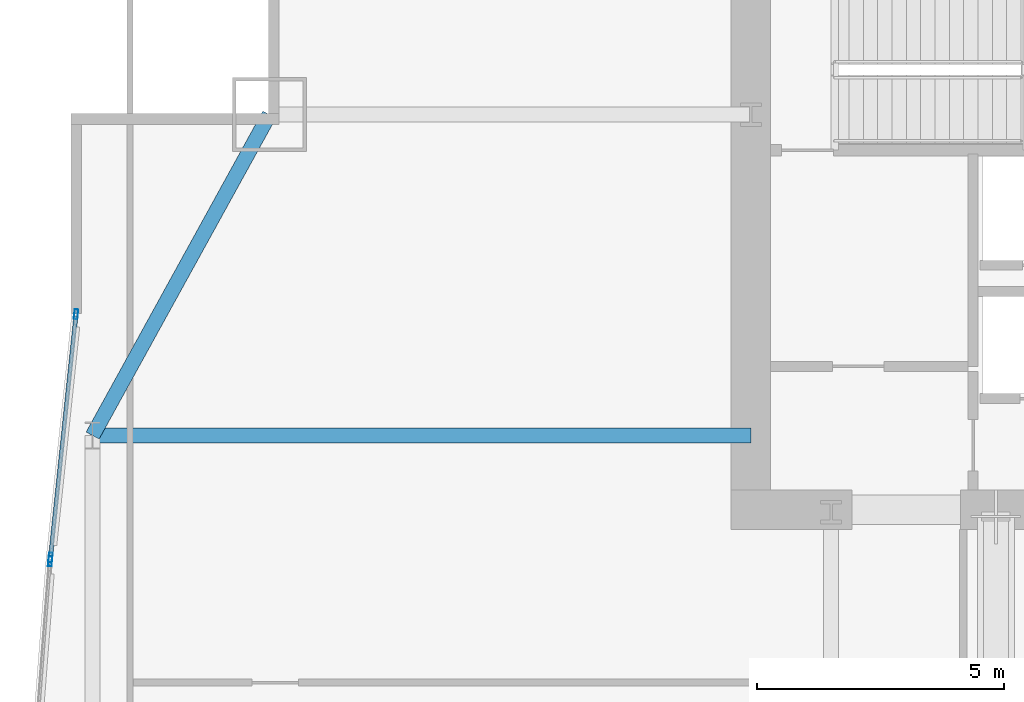
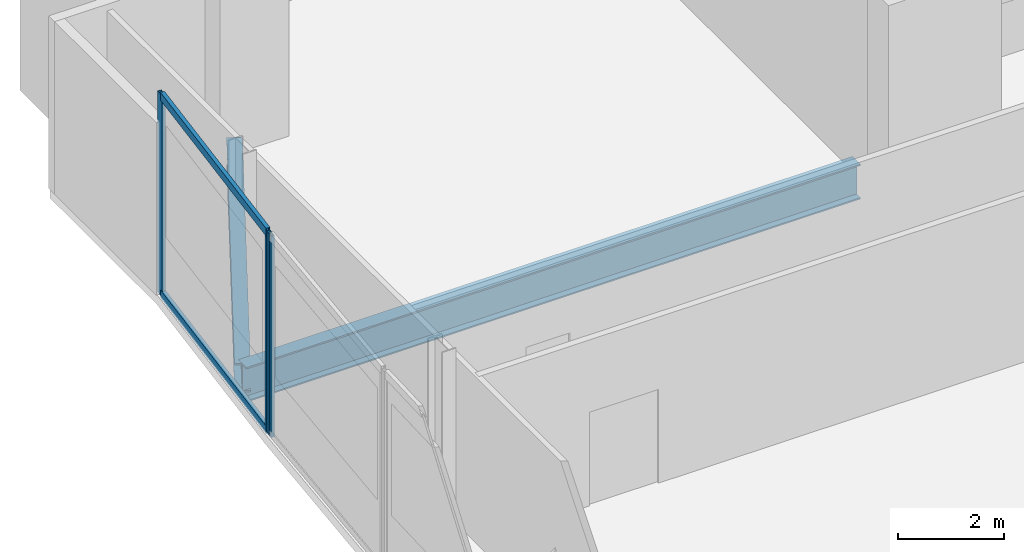
# One storey, part 17 of 32: 5 members, 2 beams, 2 elements without a shape of their own.
"""IFC4 building model written with IfcOpenShell, lengths in metres."""

import ifcopenshell
import ifcopenshell.guid

model = None  # the IFC model being written
_history = None  # IfcOwnerHistory: only IFC2X3 demands one
_inside = {}  # id of a spatial element -> (the spatial element, [elements in it])
_under = {}  # id of a project, library or spatial element -> (it, [spatial elements below it])
_declared = {}  # id of a project -> (the project, [libraries it declares])
_typed = {}  # id of a type object -> (the type object, [elements of that type])
_made_of = {}  # id of a material, layer set ... -> (it, [elements and type objects made of it])


def new_model(schema):
    """Start an empty IFC model of exactly this schema.

    Asked for "IFC4X3", IfcOpenShell would pick the latest addendum, in which some entities
    have other attributes; the version numbers below select the first issue.
    IFC2X3 requires an IfcOwnerHistory on every rooted entity: one is made here for all.
    """
    global model, _history
    if schema == "IFC4X3":
        model = ifcopenshell.file(schema_version=(4, 3, 0, 0))
    else:
        model = ifcopenshell.file(schema=schema)
    _inside.clear()
    _under.clear()
    _declared.clear()
    _typed.clear()
    _made_of.clear()
    _history = None
    if model.schema == "IFC2X3":
        org = make("IfcOrganization", Name="unknown")
        user = make(
            "IfcPersonAndOrganization",
            ThePerson=make("IfcPerson", FamilyName="unknown"),
            TheOrganization=org,
        )
        app = make(
            "IfcApplication",
            ApplicationDeveloper=org,
            Version="unknown",
            ApplicationFullName="unknown",
            ApplicationIdentifier="unknown",
        )
        _history = make(
            "IfcOwnerHistory",
            OwningUser=user,
            OwningApplication=app,
            ChangeAction="ADDED",
            CreationDate=0,
        )
    return model


def make(cls, **values):
    """One entity of the class cls with the attributes given. An attribute that is None is left unset."""
    return model.create_entity(
        cls, **{name: value for name, value in values.items() if value is not None}
    )


def rooted(cls, **values):
    """An entity with a GlobalId (a new one), such as an element, a storey or a relation."""
    return make(cls, GlobalId=ifcopenshell.guid.new(), OwnerHistory=_history, **values)


def si_unit(unit_type, name, prefix=None):
    """IfcSIUnit, for example si_unit("LENGTHUNIT", "METRE", prefix="MILLI")."""
    return make("IfcSIUnit", UnitType=unit_type, Prefix=prefix, Name=name)


def assignment(units):
    """IfcUnitAssignment: the units of a project."""
    return None if units is None else make("IfcUnitAssignment", Units=units)


def point(xyz):
    """IfcCartesianPoint."""
    return None if xyz is None else make("IfcCartesianPoint", Coordinates=xyz)


def direction(xyz):
    """IfcDirection."""
    return None if xyz is None else make("IfcDirection", DirectionRatios=xyz)


def frame(location, z_axis=None, x_axis=None):
    """IfcAxis2Placement3D, a coordinate frame: its origin and axes. An axis left out is left unset."""
    return make(
        "IfcAxis2Placement3D",
        Location=point(location),
        Axis=direction(z_axis),
        RefDirection=direction(x_axis),
    )


def frame_2d(location, x_axis=None):
    """IfcAxis2Placement2D, a coordinate frame in the plane: its origin and x axis."""
    return make(
        "IfcAxis2Placement2D", Location=point(location), RefDirection=direction(x_axis)
    )


def origin():
    """The frame at (0, 0, 0) with its axes left unset."""
    return frame((0.0, 0.0, 0.0))


def origin_2d():
    """The frame at (0, 0) in the plane with its x axis left unset."""
    return frame_2d((0.0, 0.0))


def place(relative_to, where):
    """IfcLocalPlacement: puts the frame where relative to a parent placement (None: the world)."""
    return make(
        "IfcLocalPlacement", PlacementRelTo=relative_to, RelativePlacement=where
    )


def context(
    kind, dimensions, precision=None, world=None, true_north=None, identifier=None
):
    """IfcGeometricRepresentationContext, for example the 3D "Model" context."""
    return make(
        "IfcGeometricRepresentationContext",
        ContextIdentifier=identifier,
        ContextType=kind,
        CoordinateSpaceDimension=dimensions,
        Precision=precision,
        WorldCoordinateSystem=world,
        TrueNorth=true_north,
    )


def subcontext(parent, identifier, kind, view, scale=None):
    """IfcGeometricRepresentationSubContext, for example "Body" below "Model"."""
    return make(
        "IfcGeometricRepresentationSubContext",
        ContextIdentifier=identifier,
        ContextType=kind,
        ParentContext=parent,
        TargetScale=scale,
        TargetView=view,
    )


def project(units=None, contexts=None):
    """IfcProject with its units and contexts."""
    return rooted(
        "IfcProject",
        Name="project",
        RepresentationContexts=contexts,
        UnitsInContext=assignment(units),
    )


def spatial(cls, under=None, at=None, **own):
    """A site, building, storey or space (cls), placed at a placement, below another one or the project."""
    s = rooted(cls, ObjectPlacement=at, **own)
    if under is not None:
        _under.setdefault(under.id(), (under, []))[1].append(s)
    return s


def profile(cls, at=None, kind="AREA", **sizes):
    """A parametric profile (cls). Its sizes go by their IFC names, for example OverallWidth=200.0."""
    return make(cls, ProfileType=kind, Position=at, **sizes)


def hollow_rectangle(**sizes):
    """IfcRectangleHollowProfileDef."""
    return profile("IfcRectangleHollowProfileDef", **sizes)


def i_section(**sizes):
    """IfcIShapeProfileDef."""
    return profile("IfcIShapeProfileDef", **sizes)


def extrude(swept, where, along, depth):
    """IfcExtrudedAreaSolid: the profile swept, set in the frame where, extruded along a direction by depth."""
    return make(
        "IfcExtrudedAreaSolid",
        SweptArea=swept,
        Position=where,
        ExtrudedDirection=direction(along),
        Depth=depth,
    )


def shape(context_of_items, identifier, shape_type, items):
    """IfcShapeRepresentation: the items that make up one representation, for example the "Body"."""
    return make(
        "IfcShapeRepresentation",
        ContextOfItems=context_of_items,
        RepresentationIdentifier=identifier,
        RepresentationType=shape_type,
        Items=items,
    )


def material(Name=None, Category=None):
    """IfcMaterial."""
    return make("IfcMaterial", Name=Name, Category=Category)


def material_profile(
    of_material, cross_section, Name=None, Category=None, Priority=None
):
    """IfcMaterialProfile: a cross section and its material."""
    return make(
        "IfcMaterialProfile",
        Name=Name,
        Material=of_material,
        Profile=cross_section,
        Priority=Priority,
        Category=Category,
    )


def profile_set(profiles, Name=None, composite=None):
    """IfcMaterialProfileSet."""
    return make(
        "IfcMaterialProfileSet",
        Name=Name,
        MaterialProfiles=profiles,
        CompositeProfile=composite,
    )


def made_of(thing, what):
    """Note that an element or type object is made of a material, layer set ...; save() writes the relation."""
    if what is not None:
        _made_of.setdefault(what.id(), (what, []))[1].append(thing)
    return thing


def type_object(cls, material=None, **own):
    """A type object (cls), such as IfcWallType, which elements share."""
    return made_of(rooted(cls, **own), material)


def element(
    cls,
    number,
    at=None,
    inside=None,
    cuts=None,
    type_object=None,
    material=None,
    context=None,
    identifier="Body",
    shape_type=None,
    held_by="IfcProductDefinitionShape",
    body=None,
    shapes=None,
    **own,
):
    """One element of the class cls, such as IfcWall. Its Tag is "e" and its number.

    at: its placement. inside: the storey or other place that contains it. cuts: it is an
    opening in that element (IfcRelVoidsElement). A single representation is given by context,
    identifier, shape_type and body (its items); several are given by shapes. held_by: the class
    of the entity that holds the representations. save() writes the other relations.
    """
    e = rooted(cls, Tag="e%d" % number, ObjectPlacement=at, **own)
    if body is not None:
        shapes = [shape(context, identifier, shape_type, body)]
    if shapes is not None:
        e.Representation = make(held_by, Representations=shapes)
    if inside is not None:
        _inside.setdefault(inside.id(), (inside, []))[1].append(e)
    if cuts is not None:
        rooted(
            "IfcRelVoidsElement", RelatingBuildingElement=cuts, RelatedOpeningElement=e
        )
    if type_object is not None:
        _typed.setdefault(type_object.id(), (type_object, []))[1].append(e)
    return made_of(e, material)


def aggregate(whole, parts):
    """IfcRelAggregates: a whole, such as a stair, and the parts it consists of."""
    return rooted("IfcRelAggregates", RelatingObject=whole, RelatedObjects=parts)


def save(model, path):
    """Write the relations noted so far, then the file.

    IfcRelAggregates (storeys below a building ...), IfcRelContainedInSpatialStructure (elements
    in a storey), IfcRelDefinesByType, IfcRelAssociatesMaterial and IfcRelDeclares: one each for
    every whole, place, type object, material and project.
    """
    for whole, parts in _under.values():
        aggregate(whole, parts)
    for where, things in _inside.values():
        rooted(
            "IfcRelContainedInSpatialStructure",
            RelatedElements=things,
            RelatingStructure=where,
        )
    for kind, things in _typed.values():
        rooted("IfcRelDefinesByType", RelatedObjects=things, RelatingType=kind)
    for what, things in _made_of.values():
        rooted("IfcRelAssociatesMaterial", RelatedObjects=things, RelatingMaterial=what)
    for by, libraries in _declared.values():
        rooted("IfcRelDeclares", RelatingContext=by, RelatedDefinitions=libraries)
    model.write(path)


model = new_model("IFC4")

# Units and contexts
model_context = context("Model", 3, precision=1e-05, world=origin(), true_north=direction((0.0, 1.0)))
body_context = subcontext(model_context, "Body", "Model", "MODEL_VIEW")
ifc_project = project(units=[si_unit("LENGTHUNIT", "METRE"), si_unit("AREAUNIT", "SQUARE_METRE"), si_unit("VOLUMEUNIT", "CUBIC_METRE"), si_unit("PLANEANGLEUNIT", "RADIAN"), si_unit("MASSUNIT", "GRAM", prefix="KILO")], contexts=[model_context])

# Site, building, storey
site_placement = place(None, origin())
site = spatial("IfcSite", under=ifc_project, at=site_placement, CompositionType="ELEMENT")
building_placement = place(site_placement, origin())
building = spatial("IfcBuilding", under=site, at=building_placement, Name="Khoronbel Lancet Exchange", CompositionType="ELEMENT")
storey_placement = place(building_placement, frame((0.0, 0.0, 85.800048828125)))
storey = spatial("IfcBuildingStorey", under=building, at=storey_placement, Name="L20", CompositionType="ELEMENT", Elevation=85.800048828125)

# Beams
ifc_material_1 = material(Name="Steel S355", Category="steel")
ifc_material_profile_1 = material_profile(ifc_material_1, i_section(OverallWidth=0.300048828125, OverallDepth=0.800048828125, WebThickness=0.017578125, FlangeThickness=0.032958984375, at=origin_2d()), Name="HEB 800")
ifc_profile_set_1 = profile_set([ifc_material_profile_1], Name="Steel S355")
beam_type_1 = type_object("IfcBeamType", Name="BM-BG2", PredefinedType="BEAM", material=ifc_profile_set_1)
beam_1_placement = place(storey_placement, frame((3.27001953125, 43.199951171875, -0.6201171875), z_axis=(1.0, 0.0, 0.0), x_axis=(0.0, 1.0, 0.0)))
element("IfcBeam", 1, at=beam_1_placement, inside=storey, type_object=beam_type_1, Name="Level L20 west lens tie girder LG3W", PredefinedType="BEAM", context=body_context, shape_type="SweptSolid", body=[
    extrude(i_section(OverallWidth=0.300048828125, OverallDepth=0.800048828125, WebThickness=0.017578125, FlangeThickness=0.032958984375, at=origin_2d()), origin(), (0.0, 0.0, 1.0), 13.330078125),
])
ifc_material_profile_2 = material_profile(ifc_material_1, i_section(OverallWidth=0.300048828125, OverallDepth=0.64990234375, WebThickness=0.01611328125, FlangeThickness=0.031005859375, at=origin_2d()), Name="HEB 650")
ifc_profile_set_2 = profile_set([ifc_material_profile_2], Name="Steel S355")
beam_type_2 = type_object("IfcBeamType", Name="BM-BSP1", PredefinedType="SPANDREL", material=ifc_profile_set_2)
beam_2_placement = place(storey_placement, frame((6.85009765625, 49.699951171875, -0.545166015625), z_axis=(-0.482444051088, -0.875926787791, 0.0), x_axis=(0.875926787791, -0.482444051088, 0.0)))
element("IfcBeam", 2, at=beam_2_placement, inside=storey, type_object=beam_type_2, Name="Level L20 perimeter spandrel beam SP16", PredefinedType="SPANDREL", context=body_context, shape_type="SweptSolid", body=[
    extrude(i_section(OverallWidth=0.300048828125, OverallDepth=0.64990234375, WebThickness=0.01611328125, FlangeThickness=0.031005859375, at=origin_2d()), origin(), (0.0, 0.0, 1.0), 7.420654296875),
])

# Curtain wall, member
ifc_material_2 = material(Name="Low-E Solar Control Insulating Glass", Category="glass")
curtain_wall_type = type_object("IfcCurtainWallType", Name="CW-4", PredefinedType="NOTDEFINED", material=ifc_material_2)
curtain_wall_1_placement = place(storey_placement, origin())
curtain_wall_1 = element("IfcCurtainWall", 3, at=curtain_wall_1_placement, inside=storey, type_object=curtain_wall_type, Name="Unitised curtain wall CW-L20-E08", PredefinedType="NOTDEFINED")
ifc_material_3 = material(Name="Bronze-Anodised Aluminium 6063-T6", Category="aluminium")
ifc_material_profile_3 = material_profile(ifc_material_3, hollow_rectangle(XDim=0.074951171875, YDim=0.199951171875, WallThickness=0.0048828125, at=origin_2d()), Name="ALU MULLION 75x200")
ifc_profile_set_3 = profile_set([ifc_material_profile_3], Name="Bronze-Anodised Aluminium 6063-T6")
member_type_1 = type_object("IfcMemberType", Name="MEM-CWM2", PredefinedType="MULLION", material=ifc_profile_set_3)
member_1_placement = place(storey_placement, frame((2.41162109375, 40.654541015625, 0.0), z_axis=(0.0, 0.0, 1.0), x_axis=(-0.997059882555, 0.076626304874, 0.0)))
member_1 = element("IfcMember", 4, at=member_1_placement, type_object=member_type_1, Name="CW4 mullion 2", PredefinedType="MULLION", context=body_context, shape_type="SweptSolid", body=[
    extrude(hollow_rectangle(XDim=0.074951171875, YDim=0.199951171875, WallThickness=0.0048828125, at=origin_2d()), origin(), (0.0, 0.0, 1.0), 4.619873046875),
])
aggregate(curtain_wall_1, [member_1])

# Curtain wall, members
curtain_wall_2_placement = place(storey_placement, origin())
curtain_wall_2 = element("IfcCurtainWall", 5, at=curtain_wall_2_placement, inside=storey, type_object=curtain_wall_type, Name="Unitised curtain wall CW-L20-E09", PredefinedType="NOTDEFINED")
member_2_placement = place(storey_placement, frame((2.41845703125, 40.729248046875, 0.0), z_axis=(0.0, 0.0, 1.0), x_axis=(-0.994531779003, 0.104434383958, 0.0)))
member_2 = element("IfcMember", 6, at=member_2_placement, type_object=member_type_1, Name="CW4 mullion 1", PredefinedType="MULLION", context=body_context, shape_type="SweptSolid", body=[
    extrude(hollow_rectangle(XDim=0.074951171875, YDim=0.199951171875, WallThickness=0.0048828125, at=origin_2d()), origin(), (0.0, 0.0, 1.0), 4.619873046875),
])
member_3_placement = place(storey_placement, frame((2.93603515625, 45.657958984375, 0.0), z_axis=(0.0, 0.0, 1.0), x_axis=(-0.994531779003, 0.104434383958, 0.0)))
member_3 = element("IfcMember", 7, at=member_3_placement, type_object=member_type_1, Name="CW4 mullion 2", PredefinedType="MULLION", context=body_context, shape_type="SweptSolid", body=[
    extrude(hollow_rectangle(XDim=0.074951171875, YDim=0.199951171875, WallThickness=0.0048828125, at=origin_2d()), origin(), (0.0, 0.0, 1.0), 4.619873046875),
])
ifc_material_profile_4 = material_profile(ifc_material_3, hollow_rectangle(XDim=0.0849609375, YDim=0.179931640625, WallThickness=0.0048828125, at=origin_2d()), Name="ALU TRANSOM 85x180")
ifc_profile_set_4 = profile_set([ifc_material_profile_4], Name="Bronze-Anodised Aluminium 6063-T6")
member_type_2 = type_object("IfcMemberType", Name="MEM-CWT1", PredefinedType="USERDEFINED", material=ifc_profile_set_4)
member_4_placement = place(storey_placement, frame((2.42236328125, 40.7666015625, 0.04248046875), z_axis=(0.104445225696, 0.994530640468, 0.0), x_axis=(-0.994530640468, 0.104445225696, 0.0)))
member_4 = element("IfcMember", 8, at=member_4_placement, type_object=member_type_2, Name="CW4 transom 1.1", ObjectType="TRANSOM", PredefinedType="USERDEFINED", context=body_context, shape_type="SweptSolid", body=[
    extrude(hollow_rectangle(XDim=0.0849609375, YDim=0.179931640625, WallThickness=0.0048828125, at=origin_2d()), origin(), (0.0, 0.0, 1.0), 4.880615234375),
])
member_5_placement = place(storey_placement, frame((2.42236328125, 40.7666015625, 4.577392578125), z_axis=(0.104445225696, 0.994530640468, 0.0), x_axis=(-0.994530640468, 0.104445225696, 0.0)))
member_5 = element("IfcMember", 9, at=member_5_placement, type_object=member_type_2, Name="CW4 transom 1.2", ObjectType="TRANSOM", PredefinedType="USERDEFINED", context=body_context, shape_type="SweptSolid", body=[
    extrude(hollow_rectangle(XDim=0.0849609375, YDim=0.179931640625, WallThickness=0.0048828125, at=origin_2d()), origin(), (0.0, 0.0, 1.0), 4.880615234375),
])
aggregate(curtain_wall_2, [member_2, member_3, member_4, member_5])

save(model, "model.ifc")
